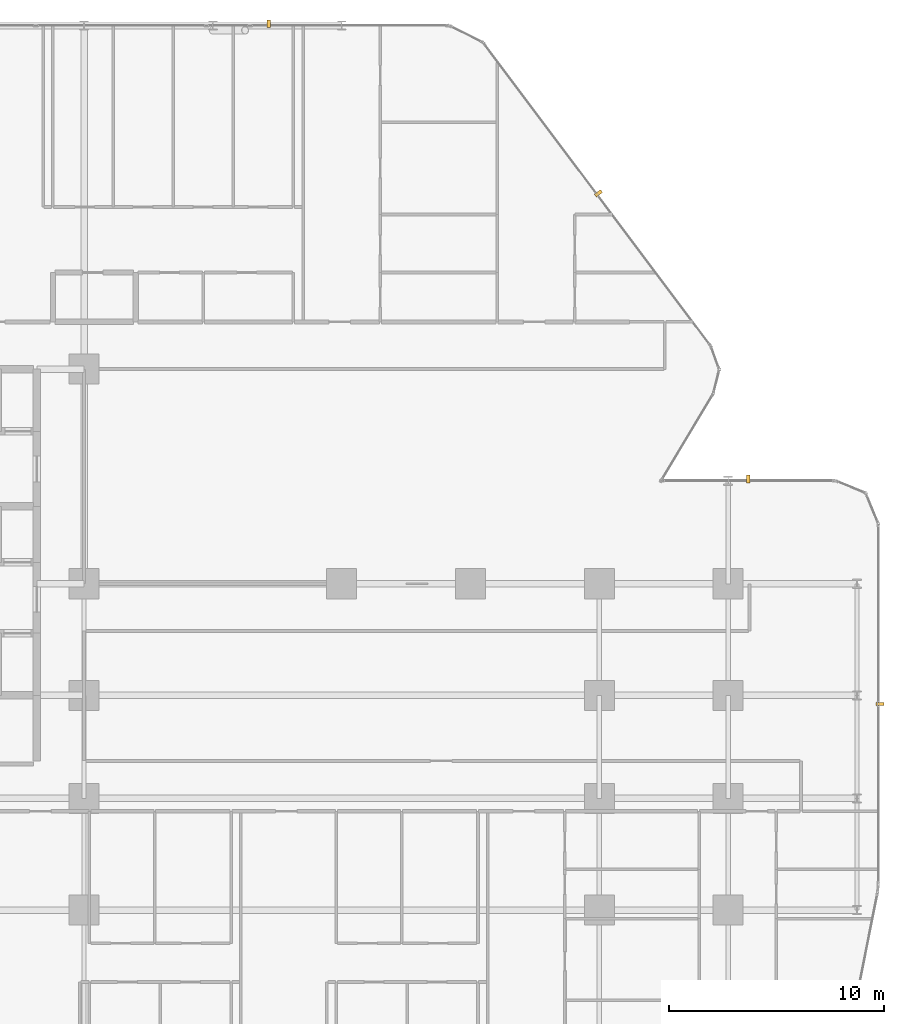
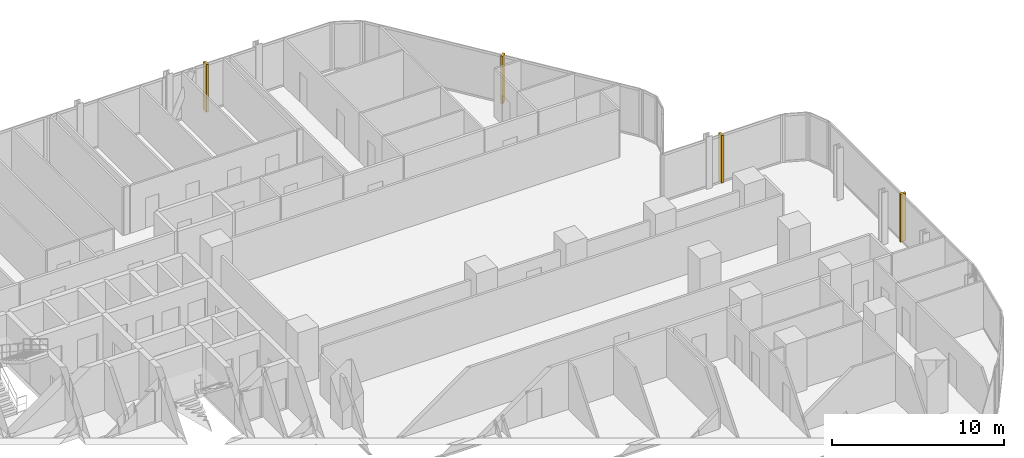
# One storey, part 34 of 34: 4 coverings.
"""IFC4 building model written with IfcOpenShell, lengths in metres."""

from ifc_helpers import new_model, si_unit, direction, frame, origin, origin_2d, place, context, subcontext, project, spatial, rectangle, extrude, material, type_object, element, save


model = new_model("IFC4")

# Units and contexts
model_context = context("Model", 3, precision=1e-05, world=origin(), true_north=direction((0.0, 1.0)))
body_context = subcontext(model_context, "Body", "Model", "MODEL_VIEW")
ifc_project = project(units=[si_unit("LENGTHUNIT", "METRE"), si_unit("AREAUNIT", "SQUARE_METRE"), si_unit("VOLUMEUNIT", "CUBIC_METRE"), si_unit("PLANEANGLEUNIT", "RADIAN"), si_unit("MASSUNIT", "GRAM", prefix="KILO")], contexts=[model_context])

# Site, building, storey
site_placement = place(None, origin())
site = spatial("IfcSite", under=ifc_project, at=site_placement, CompositionType="ELEMENT")
building_placement = place(site_placement, origin())
building = spatial("IfcBuilding", under=site, at=building_placement, Name="Keshet Zoharim Tower", CompositionType="ELEMENT")
storey_placement = place(building_placement, frame((0.0, 0.0, 46.199951171875)))
storey = spatial("IfcBuildingStorey", under=building, at=storey_placement, Name="L10", CompositionType="ELEMENT", Elevation=46.199951171875)

# Coverings
ifc_material = material(Name="Concrete C50/60 precast", Category="concrete")
covering_type = type_object("IfcCoveringType", Name="FIN-SOL-360", PredefinedType="CLADDING", material=ifc_material)
for number, where, z_axis, x_axis, name in (
    (1, (41.593994140625, 53.97998046875, 0.0), (0.0, 0.0, 1.0), (1.0, 0.0, 0.0), "L10 Vertical Precast Solar Fin 06"),
    (2, (56.9609375, 46.0859375, 0.0), (0.0, 0.0, 1.0), (0.600000000002, -0.799999999998, 0.0), "L10 Vertical Precast Solar Fin 07"),
    (3, (63.93994140625, 32.780029296875, 0.0), (0.0, 0.0, 1.0), (1.0, 0.0, 0.0), "L10 Vertical Precast Solar Fin 08"),
    (4, (70.080078125, 22.299072265625, 0.0), (0.0, 0.0, 1.0), (0.0, -1.0, 0.0), "L10 Vertical Precast Solar Fin 09"),
):
    element("IfcCovering", number, at=place(storey_placement, frame(where, z_axis=z_axis, x_axis=x_axis)), inside=storey, type_object=covering_type, Name=name, PredefinedType="CLADDING", context=body_context, shape_type="SweptSolid", body=[
        extrude(rectangle(XDim=0.159912109375, YDim=0.360107421875, at=origin_2d()), origin(), (0.0, 0.0, 1.0), 3.385009765625),
    ])

save(model, "model.ifc")
